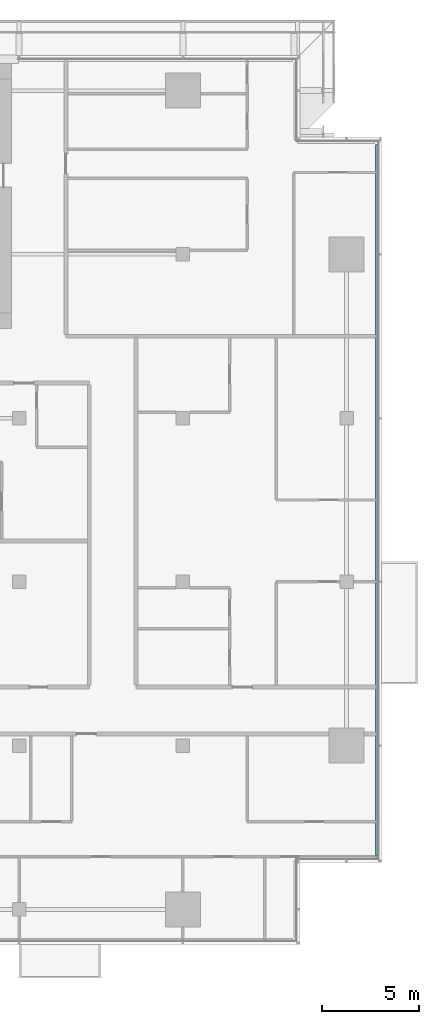
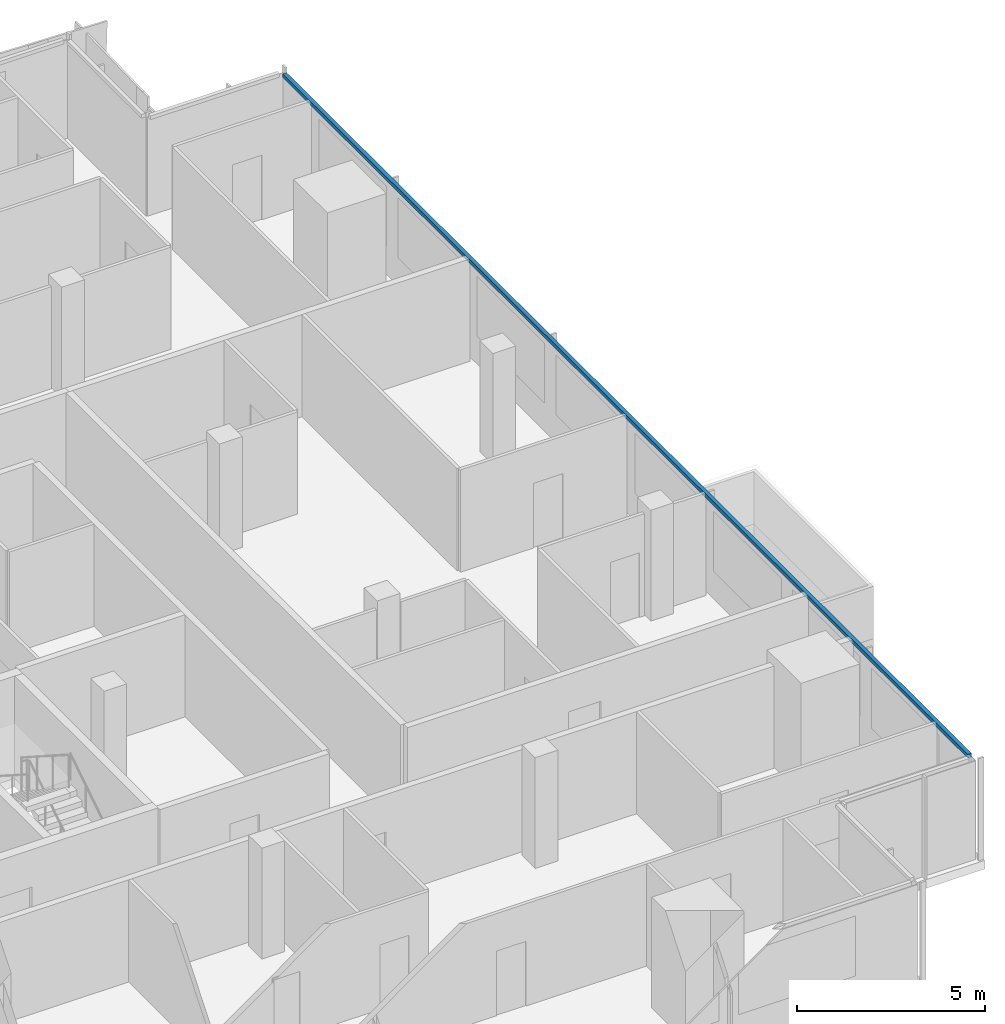
# One storey, part 12 of 30: 1 member, 1 element without a shape of its own.
"""IFC4 building model written with IfcOpenShell, lengths in metres."""

from ifc_helpers import new_model, si_unit, direction, frame, origin, origin_2d, place, context, subcontext, project, spatial, rectangle, extrude, material, material_profile, profile_set, type_object, element, aggregate, save


model = new_model("IFC4")

# Units and contexts
model_context = context("Model", 3, precision=1e-05, world=origin(), true_north=direction((0.0, 1.0)))
body_context = subcontext(model_context, "Body", "Model", "MODEL_VIEW")
ifc_project = project(units=[si_unit("LENGTHUNIT", "METRE"), si_unit("AREAUNIT", "SQUARE_METRE"), si_unit("VOLUMEUNIT", "CUBIC_METRE"), si_unit("PLANEANGLEUNIT", "RADIAN"), si_unit("MASSUNIT", "GRAM", prefix="KILO")], contexts=[model_context])

# Site, building, storey
site_placement = place(None, origin())
site = spatial("IfcSite", under=ifc_project, at=site_placement, CompositionType="ELEMENT")
building_placement = place(site_placement, origin())
building = spatial("IfcBuilding", under=site, at=building_placement, Name="Saffron Gate Tower", CompositionType="ELEMENT")
storey_placement = place(building_placement, frame((0.0, 0.0, 169.050048828125)))
storey = spatial("IfcBuildingStorey", under=building, at=storey_placement, Name="L41", CompositionType="ELEMENT", Elevation=169.050048828125)

# Curtain wall, member
ifc_material = material(Name="Aluminium, bronze anodised", Category="aluminium")
curtain_wall_type = type_object("IfcCurtainWallType", Name="CWS2 curtain wall side facades", PredefinedType="NOTDEFINED", material=ifc_material)
curtain_wall_placement = place(storey_placement, origin())
curtain_wall = element("IfcCurtainWall", 1, at=curtain_wall_placement, inside=storey, type_object=curtain_wall_type, Name="CWS2 run 4", PredefinedType="NOTDEFINED")
ifc_material_profile = material_profile(ifc_material, rectangle(XDim=0.1201171875, YDim=0.1201171875, at=origin_2d()))
ifc_profile_set = profile_set([ifc_material_profile], Name="Aluminium, bronze anodised")
member_type = type_object("IfcMemberType", Name="CWS2 head transom", PredefinedType="USERDEFINED", material=ifc_profile_set)
member_placement = place(storey_placement, frame((126.951904296875, 34.568115234375, 3.260009765625), z_axis=(0.0, 1.0, 0.0), x_axis=(-1.0, 0.0, 0.0)))
member = element("IfcMember", 2, at=member_placement, type_object=member_type, Name="CWS2 head transom", ObjectType="TRANSOM", PredefinedType="USERDEFINED", context=body_context, shape_type="SweptSolid", body=[
    extrude(rectangle(XDim=0.1201171875, YDim=0.1201171875, at=origin_2d()), origin(), (0.0, 0.0, 1.0), 36.4638671875),
])
aggregate(curtain_wall, [member])

save(model, "model.ifc")
